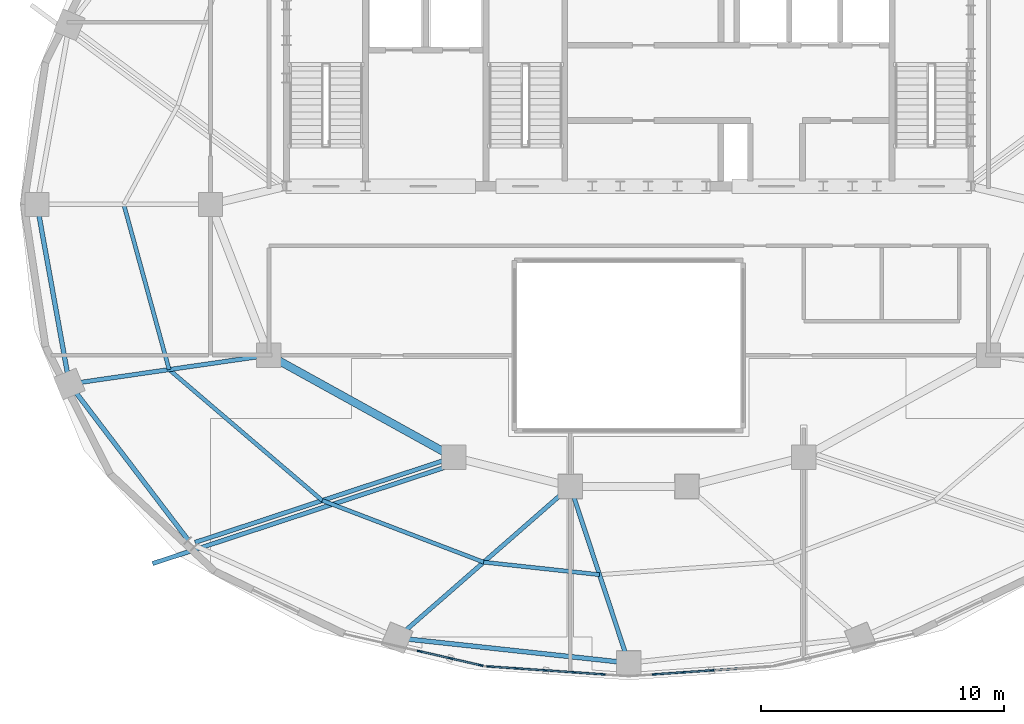
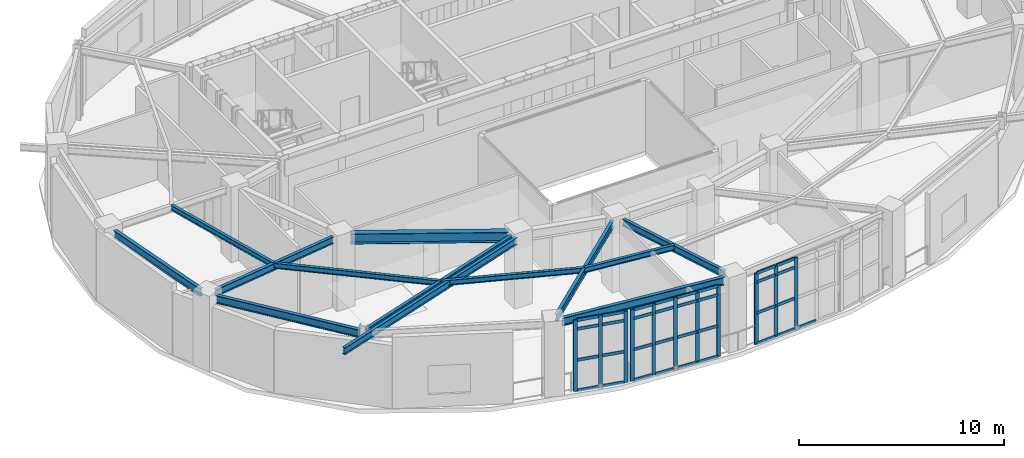
# One storey, part 2 of 11: 44 members, 13 beams, 3 elements without a shape of their own.
"""IFC4 building model written with IfcOpenShell, lengths in metres."""

from ifc_helpers import new_model, si_unit, direction, frame, origin, origin_2d, place, context, subcontext, project, spatial, rectangle, i_section, extrude, material, material_profile, profile_set, type_object, element, aggregate, save


model = new_model("IFC4")

# Units and contexts
model_context = context("Model", 3, precision=1e-05, world=origin(), true_north=direction((0.0, 1.0)))
body_context = subcontext(model_context, "Body", "Model", "MODEL_VIEW")
ifc_project = project(units=[si_unit("LENGTHUNIT", "METRE"), si_unit("AREAUNIT", "SQUARE_METRE"), si_unit("VOLUMEUNIT", "CUBIC_METRE"), si_unit("PLANEANGLEUNIT", "RADIAN"), si_unit("MASSUNIT", "GRAM", prefix="KILO")], contexts=[model_context])

# Site, building, storey
site_placement = place(None, origin())
site = spatial("IfcSite", under=ifc_project, at=site_placement, CompositionType="ELEMENT")
building_placement = place(site_placement, origin())
building = spatial("IfcBuilding", under=site, at=building_placement, Name="Haldorwick Loom Tower", CompositionType="ELEMENT")
storey_placement = place(building_placement, frame((0.0, 0.0, 247.800048828125)))
storey = spatial("IfcBuildingStorey", under=building, at=storey_placement, Name="L67", CompositionType="ELEMENT", Elevation=247.800048828125)

# Curtain wall, members
ifc_material_1 = material(Name="Thermally Broken Anodized Aluminium Curtain Wall Framing", Category="aluminium")
curtain_wall_type = type_object("IfcCurtainWallType", Name="ARC-CW-05", PredefinedType="NOTDEFINED", material=ifc_material_1)
curtain_wall_1_placement = place(storey_placement, origin())
curtain_wall_1 = element("IfcCurtainWall", 1, at=curtain_wall_1_placement, inside=storey, type_object=curtain_wall_type, Name="L67 Facade Curtain Wall CW-05 Bay 17", PredefinedType="NOTDEFINED")
ifc_material_profile_1 = material_profile(ifc_material_1, rectangle(XDim=0.068115234375, YDim=0.201904296875, at=origin_2d()), Name="ALU_MUL_68X202", Category="aluminium")
ifc_profile_set_1 = profile_set([ifc_material_profile_1], Name="Thermally Broken Anodized Aluminium Curtain Wall Framing")
member_type_1 = type_object("IfcMemberType", Name="ARC-CWM-05", PredefinedType="MULLION", material=ifc_profile_set_1)
member_1_placement = place(storey_placement, frame((27.40625, 7.620849609375, 0.0), z_axis=(0.0, 0.0, 1.0), x_axis=(0.223948599878, 0.974600956604, 0.0)))
member_1 = element("IfcMember", 2, at=member_1_placement, type_object=member_type_1, Name="CW-05 mullion 1", PredefinedType="MULLION", context=body_context, shape_type="SweptSolid", body=[
    extrude(rectangle(XDim=0.068115234375, YDim=0.201904296875, at=origin_2d()), origin(), (0.0, 0.0, 1.0), 4.260009765625),
])
member_2_placement = place(storey_placement, frame((28.658447265625, 7.3330078125, 0.0), z_axis=(0.0, 0.0, 1.0), x_axis=(0.223948599878, 0.974600956604, 0.0)))
member_2 = element("IfcMember", 3, at=member_2_placement, type_object=member_type_1, Name="CW-05 mullion 2", PredefinedType="MULLION", context=body_context, shape_type="SweptSolid", body=[
    extrude(rectangle(XDim=0.068115234375, YDim=0.201904296875, at=origin_2d()), origin(), (0.0, 0.0, 1.0), 4.260009765625),
])
member_3_placement = place(storey_placement, frame((29.910888671875, 7.045166015625, 0.0), z_axis=(0.0, 0.0, 1.0), x_axis=(0.223948599878, 0.974600956604, 0.0)))
member_3 = element("IfcMember", 4, at=member_3_placement, type_object=member_type_1, Name="CW-05 mullion 3", PredefinedType="MULLION", context=body_context, shape_type="SweptSolid", body=[
    extrude(rectangle(XDim=0.068115234375, YDim=0.201904296875, at=origin_2d()), origin(), (0.0, 0.0, 1.0), 4.260009765625),
])

curtain_wall_2_placement = place(storey_placement, origin())
curtain_wall_2 = element("IfcCurtainWall", 5, at=curtain_wall_2_placement, inside=storey, type_object=curtain_wall_type, Name="L67 Facade Curtain Wall CW-05 Bay 18", PredefinedType="NOTDEFINED")
member_4_placement = place(storey_placement, frame((30.254150390625, 6.994384765625, 0.0), z_axis=(0.0, 0.0, 1.0), x_axis=(0.06845430734, 0.997654252638, 0.0)))
member_4 = element("IfcMember", 6, at=member_4_placement, type_object=member_type_1, Name="CW-05 mullion 1", PredefinedType="MULLION", context=body_context, shape_type="SweptSolid", body=[
    extrude(rectangle(XDim=0.068115234375, YDim=0.201904296875, at=origin_2d()), origin(), (0.0, 0.0, 1.0), 4.260009765625),
])
member_5_placement = place(storey_placement, frame((31.406494140625, 6.915283203125, 0.0), z_axis=(0.0, 0.0, 1.0), x_axis=(0.06845430734, 0.997654252638, 0.0)))
member_5 = element("IfcMember", 7, at=member_5_placement, type_object=member_type_1, Name="CW-05 mullion 2", PredefinedType="MULLION", context=body_context, shape_type="SweptSolid", body=[
    extrude(rectangle(XDim=0.068115234375, YDim=0.201904296875, at=origin_2d()), origin(), (0.0, 0.0, 1.0), 4.260009765625),
])
member_6_placement = place(storey_placement, frame((32.5927734375, 6.833740234375, 0.0), z_axis=(0.0, 0.0, 1.0), x_axis=(0.06845430734, 0.997654252638, 0.0)))
member_6 = element("IfcMember", 8, at=member_6_placement, type_object=member_type_1, Name="CW-05 mullion 3", PredefinedType="MULLION", context=body_context, shape_type="SweptSolid", body=[
    extrude(rectangle(XDim=0.068115234375, YDim=0.201904296875, at=origin_2d()), origin(), (0.0, 0.0, 1.0), 4.260009765625),
])
member_7_placement = place(storey_placement, frame((33.779296875, 6.75244140625, 0.0), z_axis=(0.0, 0.0, 1.0), x_axis=(0.06845430734, 0.997654252638, 0.0)))
member_7 = element("IfcMember", 9, at=member_7_placement, type_object=member_type_1, Name="CW-05 mullion 4", PredefinedType="MULLION", context=body_context, shape_type="SweptSolid", body=[
    extrude(rectangle(XDim=0.068115234375, YDim=0.201904296875, at=origin_2d()), origin(), (0.0, 0.0, 1.0), 4.260009765625),
])
member_8_placement = place(storey_placement, frame((34.931640625, 6.67333984375, 0.0), z_axis=(0.0, 0.0, 1.0), x_axis=(0.06845430734, 0.997654252638, 0.0)))
member_8 = element("IfcMember", 10, at=member_8_placement, type_object=member_type_1, Name="CW-05 mullion 5", PredefinedType="MULLION", context=body_context, shape_type="SweptSolid", body=[
    extrude(rectangle(XDim=0.068115234375, YDim=0.201904296875, at=origin_2d()), origin(), (0.0, 0.0, 1.0), 4.260009765625),
])

curtain_wall_3_placement = place(storey_placement, origin())
curtain_wall_3 = element("IfcCurtainWall", 11, at=curtain_wall_3_placement, inside=storey, type_object=curtain_wall_type, Name="L67 Facade Curtain Wall CW-05 Bay 19", PredefinedType="NOTDEFINED")
member_9_placement = place(storey_placement, frame((37.068359375, 6.67333984375, 0.0), z_axis=(0.0, 0.0, 1.0), x_axis=(-0.06845430734, 0.997654252638, 0.0)))
member_9 = element("IfcMember", 12, at=member_9_placement, type_object=member_type_1, Name="CW-05 mullion 1", PredefinedType="MULLION", context=body_context, shape_type="SweptSolid", body=[
    extrude(rectangle(XDim=0.068115234375, YDim=0.201904296875, at=origin_2d()), origin(), (0.0, 0.0, 1.0), 4.260009765625),
])
member_10_placement = place(storey_placement, frame((38.220703125, 6.75244140625, 0.0), z_axis=(0.0, 0.0, 1.0), x_axis=(-0.06845430734, 0.997654252638, 0.0)))
member_10 = element("IfcMember", 13, at=member_10_placement, type_object=member_type_1, Name="CW-05 mullion 2", PredefinedType="MULLION", context=body_context, shape_type="SweptSolid", body=[
    extrude(rectangle(XDim=0.068115234375, YDim=0.201904296875, at=origin_2d()), origin(), (0.0, 0.0, 1.0), 4.260009765625),
])
member_11_placement = place(storey_placement, frame((39.4072265625, 6.833740234375, 0.0), z_axis=(0.0, 0.0, 1.0), x_axis=(-0.06845430734, 0.997654252638, 0.0)))
member_11 = element("IfcMember", 14, at=member_11_placement, type_object=member_type_1, Name="CW-05 mullion 3", PredefinedType="MULLION", context=body_context, shape_type="SweptSolid", body=[
    extrude(rectangle(XDim=0.068115234375, YDim=0.201904296875, at=origin_2d()), origin(), (0.0, 0.0, 1.0), 4.260009765625),
])

# Member
ifc_material_profile_2 = material_profile(ifc_material_1, rectangle(XDim=0.068115234375, YDim=0.181884765625, at=origin_2d()), Name="ALU_TRN_68X182", Category="aluminium")
ifc_profile_set_2 = profile_set([ifc_material_profile_2], Name="Thermally Broken Anodized Aluminium Curtain Wall Framing")
member_type_2 = type_object("IfcMemberType", Name="ARC-CWT-05", PredefinedType="USERDEFINED", material=ifc_profile_set_2)
member_12_placement = place(storey_placement, frame((27.439208984375, 7.61328125, 0.033935546875), z_axis=(0.974580154458, -0.224039109391, 0.0), x_axis=(0.224039109391, 0.974580154458, 0.0)))
member_12 = element("IfcMember", 15, at=member_12_placement, type_object=member_type_2, Name="CW-05 transom 1.1", ObjectType="TRANSOM", PredefinedType="USERDEFINED", context=body_context, shape_type="SweptSolid", body=[
    extrude(rectangle(XDim=0.068115234375, YDim=0.181884765625, at=origin_2d()), origin(), (0.0, 0.0, 1.0), 1.21728515625),
])

member_13_placement = place(storey_placement, frame((27.439208984375, 7.61328125, 1.849853515625), z_axis=(0.974580154458, -0.224039109391, 0.0), x_axis=(0.224039109391, 0.974580154458, 0.0)))
member_13 = element("IfcMember", 16, at=member_13_placement, type_object=member_type_2, Name="CW-05 transom 1.2", ObjectType="TRANSOM", PredefinedType="USERDEFINED", context=body_context, shape_type="SweptSolid", body=[
    extrude(rectangle(XDim=0.068115234375, YDim=0.181884765625, at=origin_2d()), origin(), (0.0, 0.0, 1.0), 1.21728515625),
])

member_14_placement = place(storey_placement, frame((27.439208984375, 7.61328125, 3.699951171875), z_axis=(0.974580154458, -0.224039109391, 0.0), x_axis=(0.224039109391, 0.974580154458, 0.0)))
member_14 = element("IfcMember", 17, at=member_14_placement, type_object=member_type_2, Name="CW-05 transom 1.3", ObjectType="TRANSOM", PredefinedType="USERDEFINED", context=body_context, shape_type="SweptSolid", body=[
    extrude(rectangle(XDim=0.068115234375, YDim=0.181884765625, at=origin_2d()), origin(), (0.0, 0.0, 1.0), 1.21728515625),
])

member_15_placement = place(storey_placement, frame((27.439208984375, 7.61328125, 4.225830078125), z_axis=(0.974580154458, -0.224039109391, 0.0), x_axis=(0.224039109391, 0.974580154458, 0.0)))
member_15 = element("IfcMember", 18, at=member_15_placement, type_object=member_type_2, Name="CW-05 transom 1.4", ObjectType="TRANSOM", PredefinedType="USERDEFINED", context=body_context, shape_type="SweptSolid", body=[
    extrude(rectangle(XDim=0.068115234375, YDim=0.181884765625, at=origin_2d()), origin(), (0.0, 0.0, 1.0), 1.21728515625),
])

member_16_placement = place(storey_placement, frame((28.691650390625, 7.325439453125, 0.033935546875), z_axis=(0.974580154458, -0.224039109391, 0.0), x_axis=(0.224039109391, 0.974580154458, 0.0)))
member_16 = element("IfcMember", 19, at=member_16_placement, type_object=member_type_2, Name="CW-05 transom 2.1", ObjectType="TRANSOM", PredefinedType="USERDEFINED", context=body_context, shape_type="SweptSolid", body=[
    extrude(rectangle(XDim=0.068115234375, YDim=0.181884765625, at=origin_2d()), origin(), (0.0, 0.0, 1.0), 1.21728515625),
])

member_17_placement = place(storey_placement, frame((28.691650390625, 7.325439453125, 1.849853515625), z_axis=(0.974580154458, -0.224039109391, 0.0), x_axis=(0.224039109391, 0.974580154458, 0.0)))
member_17 = element("IfcMember", 20, at=member_17_placement, type_object=member_type_2, Name="CW-05 transom 2.2", ObjectType="TRANSOM", PredefinedType="USERDEFINED", context=body_context, shape_type="SweptSolid", body=[
    extrude(rectangle(XDim=0.068115234375, YDim=0.181884765625, at=origin_2d()), origin(), (0.0, 0.0, 1.0), 1.21728515625),
])

member_18_placement = place(storey_placement, frame((28.691650390625, 7.325439453125, 3.699951171875), z_axis=(0.974580154458, -0.224039109391, 0.0), x_axis=(0.224039109391, 0.974580154458, 0.0)))
member_18 = element("IfcMember", 21, at=member_18_placement, type_object=member_type_2, Name="CW-05 transom 2.3", ObjectType="TRANSOM", PredefinedType="USERDEFINED", context=body_context, shape_type="SweptSolid", body=[
    extrude(rectangle(XDim=0.068115234375, YDim=0.181884765625, at=origin_2d()), origin(), (0.0, 0.0, 1.0), 1.21728515625),
])

member_19_placement = place(storey_placement, frame((28.691650390625, 7.325439453125, 4.225830078125), z_axis=(0.974580154458, -0.224039109391, 0.0), x_axis=(0.224039109391, 0.974580154458, 0.0)))
member_19 = element("IfcMember", 22, at=member_19_placement, type_object=member_type_2, Name="CW-05 transom 2.4", ObjectType="TRANSOM", PredefinedType="USERDEFINED", context=body_context, shape_type="SweptSolid", body=[
    extrude(rectangle(XDim=0.068115234375, YDim=0.181884765625, at=origin_2d()), origin(), (0.0, 0.0, 1.0), 1.21728515625),
])

aggregate(curtain_wall_1, [member_1, member_2, member_3, member_12, member_13, member_14, member_15, member_16, member_17, member_18, member_19])

member_20_placement = place(storey_placement, frame((30.2880859375, 6.991943359375, 0.033935546875), z_axis=(0.997651014979, -0.068501476715, 0.0), x_axis=(0.068501476715, 0.997651014979, 0.0)))
member_20 = element("IfcMember", 23, at=member_20_placement, type_object=member_type_2, Name="CW-05 transom 1.1", ObjectType="TRANSOM", PredefinedType="USERDEFINED", context=body_context, shape_type="SweptSolid", body=[
    extrude(rectangle(XDim=0.068115234375, YDim=0.181884765625, at=origin_2d()), origin(), (0.0, 0.0, 1.0), 1.0869140625),
])

member_21_placement = place(storey_placement, frame((30.2880859375, 6.991943359375, 1.849853515625), z_axis=(0.997651014979, -0.068501476715, 0.0), x_axis=(0.068501476715, 0.997651014979, 0.0)))
member_21 = element("IfcMember", 24, at=member_21_placement, type_object=member_type_2, Name="CW-05 transom 1.2", ObjectType="TRANSOM", PredefinedType="USERDEFINED", context=body_context, shape_type="SweptSolid", body=[
    extrude(rectangle(XDim=0.068115234375, YDim=0.181884765625, at=origin_2d()), origin(), (0.0, 0.0, 1.0), 1.0869140625),
])

member_22_placement = place(storey_placement, frame((30.2880859375, 6.991943359375, 3.699951171875), z_axis=(0.997651014979, -0.068501476715, 0.0), x_axis=(0.068501476715, 0.997651014979, 0.0)))
member_22 = element("IfcMember", 25, at=member_22_placement, type_object=member_type_2, Name="CW-05 transom 1.3", ObjectType="TRANSOM", PredefinedType="USERDEFINED", context=body_context, shape_type="SweptSolid", body=[
    extrude(rectangle(XDim=0.068115234375, YDim=0.181884765625, at=origin_2d()), origin(), (0.0, 0.0, 1.0), 1.0869140625),
])

member_23_placement = place(storey_placement, frame((30.2880859375, 6.991943359375, 4.225830078125), z_axis=(0.997651014979, -0.068501476715, 0.0), x_axis=(0.068501476715, 0.997651014979, 0.0)))
member_23 = element("IfcMember", 26, at=member_23_placement, type_object=member_type_2, Name="CW-05 transom 1.4", ObjectType="TRANSOM", PredefinedType="USERDEFINED", context=body_context, shape_type="SweptSolid", body=[
    extrude(rectangle(XDim=0.068115234375, YDim=0.181884765625, at=origin_2d()), origin(), (0.0, 0.0, 1.0), 1.0869140625),
])

member_24_placement = place(storey_placement, frame((31.4404296875, 6.912841796875, 0.033935546875), z_axis=(0.997659106394, -0.068383531851, 0.0), x_axis=(0.068383531851, 0.997659106394, 0.0)))
member_24 = element("IfcMember", 27, at=member_24_placement, type_object=member_type_2, Name="CW-05 transom 2.1", ObjectType="TRANSOM", PredefinedType="USERDEFINED", context=body_context, shape_type="SweptSolid", body=[
    extrude(rectangle(XDim=0.068115234375, YDim=0.181884765625, at=origin_2d()), origin(), (0.0, 0.0, 1.0), 1.12109375),
])

member_25_placement = place(storey_placement, frame((31.4404296875, 6.912841796875, 1.849853515625), z_axis=(0.997659106394, -0.068383531851, 0.0), x_axis=(0.068383531851, 0.997659106394, 0.0)))
member_25 = element("IfcMember", 28, at=member_25_placement, type_object=member_type_2, Name="CW-05 transom 2.2", ObjectType="TRANSOM", PredefinedType="USERDEFINED", context=body_context, shape_type="SweptSolid", body=[
    extrude(rectangle(XDim=0.068115234375, YDim=0.181884765625, at=origin_2d()), origin(), (0.0, 0.0, 1.0), 1.12109375),
])

member_26_placement = place(storey_placement, frame((31.4404296875, 6.912841796875, 3.699951171875), z_axis=(0.997659106394, -0.068383531851, 0.0), x_axis=(0.068383531851, 0.997659106394, 0.0)))
member_26 = element("IfcMember", 29, at=member_26_placement, type_object=member_type_2, Name="CW-05 transom 2.3", ObjectType="TRANSOM", PredefinedType="USERDEFINED", context=body_context, shape_type="SweptSolid", body=[
    extrude(rectangle(XDim=0.068115234375, YDim=0.181884765625, at=origin_2d()), origin(), (0.0, 0.0, 1.0), 1.12109375),
])

member_27_placement = place(storey_placement, frame((31.4404296875, 6.912841796875, 4.225830078125), z_axis=(0.997659106394, -0.068383531851, 0.0), x_axis=(0.068383531851, 0.997659106394, 0.0)))
member_27 = element("IfcMember", 30, at=member_27_placement, type_object=member_type_2, Name="CW-05 transom 2.4", ObjectType="TRANSOM", PredefinedType="USERDEFINED", context=body_context, shape_type="SweptSolid", body=[
    extrude(rectangle(XDim=0.068115234375, YDim=0.181884765625, at=origin_2d()), origin(), (0.0, 0.0, 1.0), 1.12109375),
])

member_28_placement = place(storey_placement, frame((32.626708984375, 6.83154296875, 0.033935546875), z_axis=(0.997645249764, -0.068585389279, 0.0), x_axis=(0.068585389279, 0.997645249764, 0.0)))
member_28 = element("IfcMember", 31, at=member_28_placement, type_object=member_type_2, Name="CW-05 transom 3.1", ObjectType="TRANSOM", PredefinedType="USERDEFINED", context=body_context, shape_type="SweptSolid", body=[
    extrude(rectangle(XDim=0.068115234375, YDim=0.181884765625, at=origin_2d()), origin(), (0.0, 0.0, 1.0), 1.121337890625),
])

member_29_placement = place(storey_placement, frame((32.626708984375, 6.83154296875, 1.849853515625), z_axis=(0.997645249764, -0.068585389279, 0.0), x_axis=(0.068585389279, 0.997645249764, 0.0)))
member_29 = element("IfcMember", 32, at=member_29_placement, type_object=member_type_2, Name="CW-05 transom 3.2", ObjectType="TRANSOM", PredefinedType="USERDEFINED", context=body_context, shape_type="SweptSolid", body=[
    extrude(rectangle(XDim=0.068115234375, YDim=0.181884765625, at=origin_2d()), origin(), (0.0, 0.0, 1.0), 1.121337890625),
])

member_30_placement = place(storey_placement, frame((32.626708984375, 6.83154296875, 3.699951171875), z_axis=(0.997645249764, -0.068585389279, 0.0), x_axis=(0.068585389279, 0.997645249764, 0.0)))
member_30 = element("IfcMember", 33, at=member_30_placement, type_object=member_type_2, Name="CW-05 transom 3.3", ObjectType="TRANSOM", PredefinedType="USERDEFINED", context=body_context, shape_type="SweptSolid", body=[
    extrude(rectangle(XDim=0.068115234375, YDim=0.181884765625, at=origin_2d()), origin(), (0.0, 0.0, 1.0), 1.121337890625),
])

member_31_placement = place(storey_placement, frame((32.626708984375, 6.83154296875, 4.225830078125), z_axis=(0.997645249764, -0.068585389279, 0.0), x_axis=(0.068585389279, 0.997645249764, 0.0)))
member_31 = element("IfcMember", 34, at=member_31_placement, type_object=member_type_2, Name="CW-05 transom 3.4", ObjectType="TRANSOM", PredefinedType="USERDEFINED", context=body_context, shape_type="SweptSolid", body=[
    extrude(rectangle(XDim=0.068115234375, YDim=0.181884765625, at=origin_2d()), origin(), (0.0, 0.0, 1.0), 1.121337890625),
])

member_32_placement = place(storey_placement, frame((33.81298828125, 6.75, 0.033935546875), z_axis=(0.997652068526, -0.068486131195, 0.0), x_axis=(0.068486131195, 0.997652068526, 0.0)))
member_32 = element("IfcMember", 35, at=member_32_placement, type_object=member_type_2, Name="CW-05 transom 4.1", ObjectType="TRANSOM", PredefinedType="USERDEFINED", context=body_context, shape_type="SweptSolid", body=[
    extrude(rectangle(XDim=0.068115234375, YDim=0.181884765625, at=origin_2d()), origin(), (0.0, 0.0, 1.0), 1.087158203125),
])

member_33_placement = place(storey_placement, frame((33.81298828125, 6.75, 1.849853515625), z_axis=(0.997652068526, -0.068486131195, 0.0), x_axis=(0.068486131195, 0.997652068526, 0.0)))
member_33 = element("IfcMember", 36, at=member_33_placement, type_object=member_type_2, Name="CW-05 transom 4.2", ObjectType="TRANSOM", PredefinedType="USERDEFINED", context=body_context, shape_type="SweptSolid", body=[
    extrude(rectangle(XDim=0.068115234375, YDim=0.181884765625, at=origin_2d()), origin(), (0.0, 0.0, 1.0), 1.087158203125),
])

member_34_placement = place(storey_placement, frame((33.81298828125, 6.75, 3.699951171875), z_axis=(0.997652068526, -0.068486131195, 0.0), x_axis=(0.068486131195, 0.997652068526, 0.0)))
member_34 = element("IfcMember", 37, at=member_34_placement, type_object=member_type_2, Name="CW-05 transom 4.3", ObjectType="TRANSOM", PredefinedType="USERDEFINED", context=body_context, shape_type="SweptSolid", body=[
    extrude(rectangle(XDim=0.068115234375, YDim=0.181884765625, at=origin_2d()), origin(), (0.0, 0.0, 1.0), 1.087158203125),
])

member_35_placement = place(storey_placement, frame((33.81298828125, 6.75, 4.225830078125), z_axis=(0.997652068526, -0.068486131195, 0.0), x_axis=(0.068486131195, 0.997652068526, 0.0)))
member_35 = element("IfcMember", 38, at=member_35_placement, type_object=member_type_2, Name="CW-05 transom 4.4", ObjectType="TRANSOM", PredefinedType="USERDEFINED", context=body_context, shape_type="SweptSolid", body=[
    extrude(rectangle(XDim=0.068115234375, YDim=0.181884765625, at=origin_2d()), origin(), (0.0, 0.0, 1.0), 1.087158203125),
])

aggregate(curtain_wall_2, [member_4, member_5, member_6, member_7, member_8, member_20, member_21, member_22, member_23, member_24, member_25, member_26, member_27, member_28, member_29, member_30, member_31, member_32, member_33, member_34, member_35])

member_36_placement = place(storey_placement, frame((37.102294921875, 6.675537109375, 0.033935546875), z_axis=(0.997652068526, 0.068486131195, 0.0), x_axis=(-0.068486131195, 0.997652068526, 0.0)))
member_36 = element("IfcMember", 39, at=member_36_placement, type_object=member_type_2, Name="CW-05 transom 1.1", ObjectType="TRANSOM", PredefinedType="USERDEFINED", context=body_context, shape_type="SweptSolid", body=[
    extrude(rectangle(XDim=0.068115234375, YDim=0.181884765625, at=origin_2d()), origin(), (0.0, 0.0, 1.0), 1.087158203125),
])

member_37_placement = place(storey_placement, frame((37.102294921875, 6.675537109375, 1.849853515625), z_axis=(0.997652068526, 0.068486131195, 0.0), x_axis=(-0.068486131195, 0.997652068526, 0.0)))
member_37 = element("IfcMember", 40, at=member_37_placement, type_object=member_type_2, Name="CW-05 transom 1.2", ObjectType="TRANSOM", PredefinedType="USERDEFINED", context=body_context, shape_type="SweptSolid", body=[
    extrude(rectangle(XDim=0.068115234375, YDim=0.181884765625, at=origin_2d()), origin(), (0.0, 0.0, 1.0), 1.087158203125),
])

member_38_placement = place(storey_placement, frame((37.102294921875, 6.675537109375, 3.699951171875), z_axis=(0.997652068526, 0.068486131195, 0.0), x_axis=(-0.068486131195, 0.997652068526, 0.0)))
member_38 = element("IfcMember", 41, at=member_38_placement, type_object=member_type_2, Name="CW-05 transom 1.3", ObjectType="TRANSOM", PredefinedType="USERDEFINED", context=body_context, shape_type="SweptSolid", body=[
    extrude(rectangle(XDim=0.068115234375, YDim=0.181884765625, at=origin_2d()), origin(), (0.0, 0.0, 1.0), 1.087158203125),
])

member_39_placement = place(storey_placement, frame((37.102294921875, 6.675537109375, 4.225830078125), z_axis=(0.997652068526, 0.068486131195, 0.0), x_axis=(-0.068486131195, 0.997652068526, 0.0)))
member_39 = element("IfcMember", 42, at=member_39_placement, type_object=member_type_2, Name="CW-05 transom 1.4", ObjectType="TRANSOM", PredefinedType="USERDEFINED", context=body_context, shape_type="SweptSolid", body=[
    extrude(rectangle(XDim=0.068115234375, YDim=0.181884765625, at=origin_2d()), origin(), (0.0, 0.0, 1.0), 1.087158203125),
])

member_40_placement = place(storey_placement, frame((38.254638671875, 6.754638671875, 0.033935546875), z_axis=(0.997645249764, 0.068585389279, 0.0), x_axis=(-0.068585389279, 0.997645249764, 0.0)))
member_40 = element("IfcMember", 43, at=member_40_placement, type_object=member_type_2, Name="CW-05 transom 2.1", ObjectType="TRANSOM", PredefinedType="USERDEFINED", context=body_context, shape_type="SweptSolid", body=[
    extrude(rectangle(XDim=0.068115234375, YDim=0.181884765625, at=origin_2d()), origin(), (0.0, 0.0, 1.0), 1.121337890625),
])

member_41_placement = place(storey_placement, frame((38.254638671875, 6.754638671875, 1.849853515625), z_axis=(0.997645249764, 0.068585389279, 0.0), x_axis=(-0.068585389279, 0.997645249764, 0.0)))
member_41 = element("IfcMember", 44, at=member_41_placement, type_object=member_type_2, Name="CW-05 transom 2.2", ObjectType="TRANSOM", PredefinedType="USERDEFINED", context=body_context, shape_type="SweptSolid", body=[
    extrude(rectangle(XDim=0.068115234375, YDim=0.181884765625, at=origin_2d()), origin(), (0.0, 0.0, 1.0), 1.121337890625),
])

member_42_placement = place(storey_placement, frame((38.254638671875, 6.754638671875, 3.699951171875), z_axis=(0.997645249764, 0.068585389279, 0.0), x_axis=(-0.068585389279, 0.997645249764, 0.0)))
member_42 = element("IfcMember", 45, at=member_42_placement, type_object=member_type_2, Name="CW-05 transom 2.3", ObjectType="TRANSOM", PredefinedType="USERDEFINED", context=body_context, shape_type="SweptSolid", body=[
    extrude(rectangle(XDim=0.068115234375, YDim=0.181884765625, at=origin_2d()), origin(), (0.0, 0.0, 1.0), 1.121337890625),
])

member_43_placement = place(storey_placement, frame((38.254638671875, 6.754638671875, 4.225830078125), z_axis=(0.997645249764, 0.068585389279, 0.0), x_axis=(-0.068585389279, 0.997645249764, 0.0)))
member_43 = element("IfcMember", 46, at=member_43_placement, type_object=member_type_2, Name="CW-05 transom 2.4", ObjectType="TRANSOM", PredefinedType="USERDEFINED", context=body_context, shape_type="SweptSolid", body=[
    extrude(rectangle(XDim=0.068115234375, YDim=0.181884765625, at=origin_2d()), origin(), (0.0, 0.0, 1.0), 1.121337890625),
])

member_44_placement = place(storey_placement, frame((39.441162109375, 6.836181640625, 0.033935546875), z_axis=(0.997659106394, 0.068383531851, 0.0), x_axis=(-0.068383531851, 0.997659106394, 0.0)))
member_44 = element("IfcMember", 47, at=member_44_placement, type_object=member_type_2, Name="CW-05 transom 3.1", ObjectType="TRANSOM", PredefinedType="USERDEFINED", context=body_context, shape_type="SweptSolid", body=[
    extrude(rectangle(XDim=0.068115234375, YDim=0.181884765625, at=origin_2d()), origin(), (0.0, 0.0, 1.0), 1.12109375),
])

aggregate(curtain_wall_3, [member_9, member_10, member_11, member_36, member_37, member_38, member_39, member_40, member_41, member_42, member_43, member_44])

# Beams
ifc_material_2 = material(Name="Steel CSA G40.21 350W", Category="steel")
ifc_material_profile_3 = material_profile(ifc_material_2, i_section(OverallWidth=0.179931640625, OverallDepth=0.4130859375, WebThickness=0.009765625, FlangeThickness=0.01611328125, at=origin_2d()), Name="W410X74", Category="steel")
ifc_profile_set_3 = profile_set([ifc_material_profile_3], Name="Steel CSA G40.21 350W")
beam_type_1 = type_object("IfcBeamType", Name="STR-BM-BAL410", PredefinedType="BEAM", material=ifc_profile_set_3)
beam_1_placement = place(storey_placement, frame((28.436279296875, 15.185546875, 4.053466796875), z_axis=(-0.949817650067, -0.312804142589, 0.0), x_axis=(0.312804142589, -0.949817650067, 0.0)))
element("IfcBeam", 48, at=beam_1_placement, inside=storey, type_object=beam_type_1, Name="L67 Continuous Back-Spanned Balcony Beam 2", PredefinedType="BEAM", context=body_context, shape_type="SweptSolid", body=[
    extrude(i_section(OverallWidth=0.179931640625, OverallDepth=0.4130859375, WebThickness=0.009765625, FlangeThickness=0.01611328125, at=origin_2d()), origin(), (0.0, 0.0, 1.0), 12.65087890625),
])
ifc_material_profile_4 = material_profile(ifc_material_2, i_section(OverallWidth=0.166015625, OverallDepth=0.31298828125, WebThickness=0.006591796875, FlangeThickness=0.01123046875, at=origin_2d()), Name="W310X45", Category="steel")
ifc_profile_set_4 = profile_set([ifc_material_profile_4], Name="Steel CSA G40.21 350W")
beam_type_2 = type_object("IfcBeamType", Name="STR-BM-J310", PredefinedType="JOIST", material=ifc_profile_set_4)
beam_2_placement = place(storey_placement, frame((15.231689453125, 26.0, 4.103515625), z_axis=(0.264879381431, -0.964281552915, 0.0), x_axis=(0.964281552915, 0.264879381431, 0.0)))
element("IfcBeam", 49, at=beam_2_placement, inside=storey, type_object=beam_type_2, Name="L67 Mid-Bay Secondary Joist 9", PredefinedType="JOIST", context=body_context, shape_type="SweptSolid", body=[
    extrude(i_section(OverallWidth=0.166015625, OverallDepth=0.31298828125, WebThickness=0.006591796875, FlangeThickness=0.01123046875, at=origin_2d()), origin(), (0.0, 0.0, 1.0), 7.044677734375),
])
beam_3_placement = place(storey_placement, frame((17.09765625, 19.20703125, 4.103515625), z_axis=(0.760066902561, -0.649844830426, 0.0), x_axis=(0.649844830426, 0.760066902561, 0.0)))
element("IfcBeam", 50, at=beam_3_placement, inside=storey, type_object=beam_type_2, Name="L67 Mid-Bay Secondary Joist 10", PredefinedType="JOIST", context=body_context, shape_type="SweptSolid", body=[
    extrude(i_section(OverallWidth=0.166015625, OverallDepth=0.31298828125, WebThickness=0.006591796875, FlangeThickness=0.01123046875, at=origin_2d()), origin(), (0.0, 0.0, 1.0), 8.28857421875),
])
beam_4_placement = place(storey_placement, frame((23.3974609375, 13.82080078125, 4.103515625), z_axis=(0.934134056558, -0.356922350628, 0.0), x_axis=(0.356922350628, 0.934134056558, 0.0)))
element("IfcBeam", 51, at=beam_4_placement, inside=storey, type_object=beam_type_2, Name="L67 Mid-Bay Secondary Joist 11", PredefinedType="JOIST", context=body_context, shape_type="SweptSolid", body=[
    extrude(i_section(OverallWidth=0.166015625, OverallDepth=0.31298828125, WebThickness=0.006591796875, FlangeThickness=0.01123046875, at=origin_2d()), origin(), (0.0, 0.0, 1.0), 7.106201171875),
])
beam_5_placement = place(storey_placement, frame((30.03564453125, 11.284423828125, 4.103515625), z_axis=(0.994221899005, -0.107344378232, 0.0), x_axis=(0.107344378232, 0.994221899005, 0.0)))
element("IfcBeam", 52, at=beam_5_placement, inside=storey, type_object=beam_type_2, Name="L67 Mid-Bay Secondary Joist 12", PredefinedType="JOIST", context=body_context, shape_type="SweptSolid", body=[
    extrude(i_section(OverallWidth=0.166015625, OverallDepth=0.31298828125, WebThickness=0.006591796875, FlangeThickness=0.01123046875, at=origin_2d()), origin(), (0.0, 0.0, 1.0), 4.7919921875),
])
ifc_material_profile_5 = material_profile(ifc_material_2, i_section(OverallWidth=0.179931640625, OverallDepth=0.4130859375, WebThickness=0.009765625, FlangeThickness=0.01611328125, at=origin_2d()), Name="W410X74", Category="steel")
ifc_profile_set_5 = profile_set([ifc_material_profile_5], Name="Steel CSA G40.21 350W")
beam_type_3 = type_object("IfcBeamType", Name="STR-BM-J410", PredefinedType="JOIST", material=ifc_profile_set_5)
beam_6_placement = place(storey_placement, frame((20.72998046875, 19.732177734375, 4.053466796875), z_axis=(-0.989713971376, -0.143060318968, 0.0), x_axis=(0.143060318968, -0.989713971376, 0.0)))
element("IfcBeam", 53, at=beam_6_placement, inside=storey, type_object=beam_type_3, Name="L67 Radial Floor Girder 10", PredefinedType="JOIST", context=body_context, shape_type="SweptSolid", body=[
    extrude(i_section(OverallWidth=0.179931640625, OverallDepth=0.4130859375, WebThickness=0.009765625, FlangeThickness=0.01611328125, at=origin_2d()), origin(), (0.0, 0.0, 1.0), 7.33984375),
])
beam_7_placement = place(storey_placement, frame((28.348876953125, 15.451416015625, 4.053466796875), z_axis=(-0.94982454623, -0.312783201882, 0.0), x_axis=(0.312783201882, -0.94982454623, 0.0)))
element("IfcBeam", 54, at=beam_7_placement, inside=storey, type_object=beam_type_3, Name="L67 Radial Floor Girder 11", PredefinedType="JOIST", context=body_context, shape_type="SweptSolid", body=[
    extrude(i_section(OverallWidth=0.179931640625, OverallDepth=0.4130859375, WebThickness=0.009765625, FlangeThickness=0.01611328125, at=origin_2d()), origin(), (0.0, 0.0, 1.0), 10.72314453125),
])
beam_8_placement = place(storey_placement, frame((33.242431640625, 14.08740234375, 4.053466796875), z_axis=(-0.752935231169, -0.65809462668, 0.0), x_axis=(0.65809462668, -0.752935231169, 0.0)))
element("IfcBeam", 55, at=beam_8_placement, inside=storey, type_object=beam_type_3, Name="L67 Radial Floor Girder 12", PredefinedType="JOIST", context=body_context, shape_type="SweptSolid", body=[
    extrude(i_section(OverallWidth=0.179931640625, OverallDepth=0.4130859375, WebThickness=0.009765625, FlangeThickness=0.01611328125, at=origin_2d()), origin(), (0.0, 0.0, 1.0), 8.51806640625),
])
beam_9_placement = place(storey_placement, frame((33.7490234375, 13.948974609375, 4.053466796875), z_axis=(0.31387519153, -0.949464251113, 0.0), x_axis=(0.949464251113, 0.31387519153, 0.0)))
element("IfcBeam", 56, at=beam_9_placement, inside=storey, type_object=beam_type_3, Name="L67 Radial Floor Girder 13", PredefinedType="JOIST", context=body_context, shape_type="SweptSolid", body=[
    extrude(i_section(OverallWidth=0.179931640625, OverallDepth=0.4130859375, WebThickness=0.009765625, FlangeThickness=0.01611328125, at=origin_2d()), origin(), (0.0, 0.0, 1.0), 6.6962890625),
])
ifc_material_profile_6 = material_profile(ifc_material_2, i_section(OverallWidth=0.193115234375, OverallDepth=0.466064453125, WebThickness=0.011474609375, FlangeThickness=0.01904296875, at=origin_2d()), Name="W460X97", Category="steel")
ifc_profile_set_6 = profile_set([ifc_material_profile_6], Name="Steel CSA G40.21 350W")
beam_type_4 = type_object("IfcBeamType", Name="STR-BM-SP460", PredefinedType="SPANDREL", material=ifc_profile_set_6)
beam_10_placement = place(storey_placement, frame((11.74755859375, 25.532470703125, 4.02685546875), z_axis=(0.177515201984, -0.984118058499, 0.0), x_axis=(0.984118058499, 0.177515201984, 0.0)))
element("IfcBeam", 57, at=beam_10_placement, inside=storey, type_object=beam_type_4, Name="L67 Perimeter Spandrel 9", PredefinedType="SPANDREL", context=body_context, shape_type="SweptSolid", body=[
    extrude(i_section(OverallWidth=0.193115234375, OverallDepth=0.466064453125, WebThickness=0.011474609375, FlangeThickness=0.01904296875, at=origin_2d()), origin(), (0.0, 0.0, 1.0), 6.5546875),
])
beam_11_placement = place(storey_placement, frame((13.282958984375, 18.236083984375, 4.02685546875), z_axis=(0.605410439126, -0.795913437629, 0.0), x_axis=(0.795913437629, 0.605410439126, 0.0)))
element("IfcBeam", 58, at=beam_11_placement, inside=storey, type_object=beam_type_4, Name="L67 Perimeter Spandrel 10", PredefinedType="SPANDREL", context=body_context, shape_type="SweptSolid", body=[
    extrude(i_section(OverallWidth=0.193115234375, OverallDepth=0.466064453125, WebThickness=0.011474609375, FlangeThickness=0.01904296875, at=origin_2d()), origin(), (0.0, 0.0, 1.0), 7.604736328125),
])
beam_12_placement = place(storey_placement, frame((26.943603515625, 8.1181640625, 4.02685546875), z_axis=(0.994216353781, -0.107395725588, 0.0), x_axis=(0.107395725588, 0.994216353781, 0.0)))
element("IfcBeam", 59, at=beam_12_placement, inside=storey, type_object=beam_type_4, Name="L67 Perimeter Spandrel 12", PredefinedType="SPANDREL", context=body_context, shape_type="SweptSolid", body=[
    extrude(i_section(OverallWidth=0.193115234375, OverallDepth=0.466064453125, WebThickness=0.011474609375, FlangeThickness=0.01904296875, at=origin_2d()), origin(), (0.0, 0.0, 1.0), 8.634033203125),
])
ifc_material_profile_7 = material_profile(ifc_material_2, i_section(OverallWidth=0.324951171875, OverallDepth=0.615966796875, WebThickness=0.013916015625, FlangeThickness=0.021484375, at=origin_2d()), Name="W610X174", Category="steel")
ifc_profile_set_7 = profile_set([ifc_material_profile_7], Name="Steel CSA G40.21 350W")
beam_type_5 = type_object("IfcBeamType", Name="STR-BM-W610A", PredefinedType="BEAM", material=ifc_profile_set_7)
beam_13_placement = place(storey_placement, frame((28.38427734375, 15.829833984375, 3.951904296875), z_axis=(-0.875243645673, 0.483682293152, 0.0), x_axis=(-0.483682293152, -0.875243645673, 0.0)))
element("IfcBeam", 60, at=beam_13_placement, inside=storey, type_object=beam_type_5, Name="L67 Inner Ring Girder 7", PredefinedType="BEAM", context=body_context, shape_type="SweptSolid", body=[
    extrude(i_section(OverallWidth=0.324951171875, OverallDepth=0.615966796875, WebThickness=0.013916015625, FlangeThickness=0.021484375, at=origin_2d()), origin(), (0.0, 0.0, 1.0), 7.7333984375),
])

save(model, "model.ifc")
